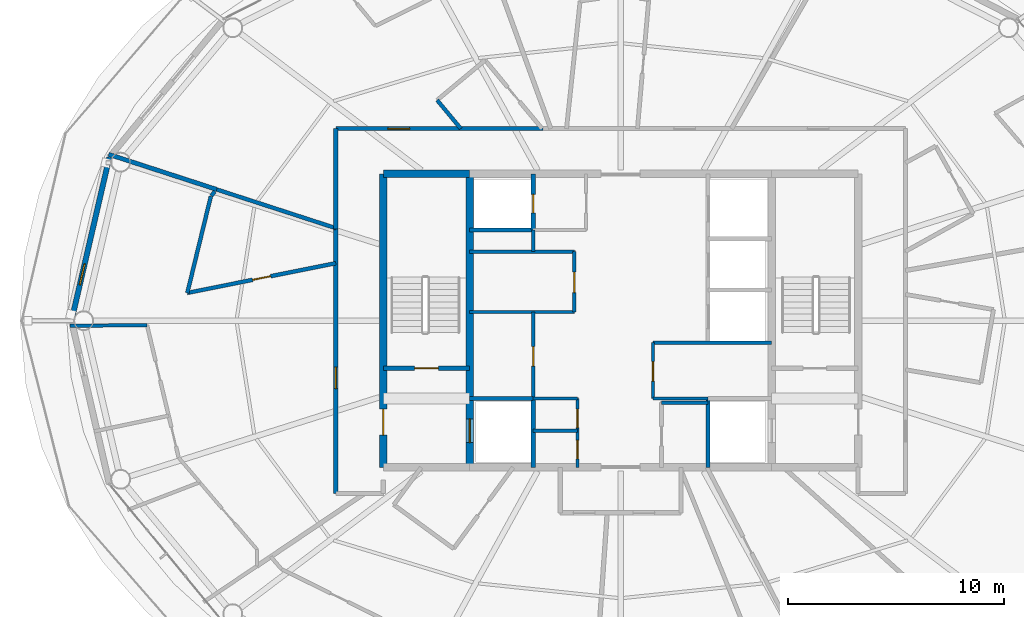
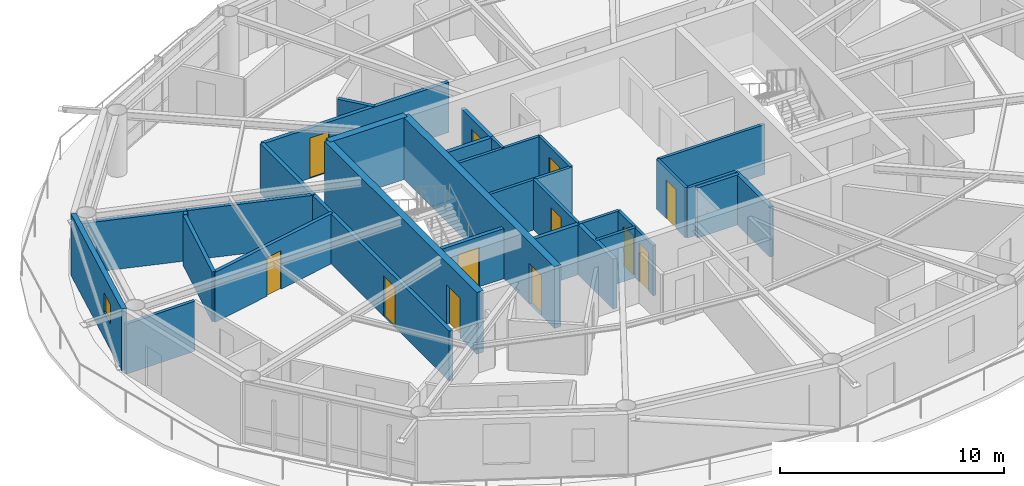
# One storey, part 16 of 22: 32 walls, 12 doors, 1 window, 13 openings.
"""IFC4 building model written with IfcOpenShell, lengths in metres."""

from ifc_helpers import new_model, si_unit, direction, frame, frame_2d, origin, place, context, subcontext, project, spatial, rectangle, extrude, material, layer, layer_set, type_object, element, fill, save


model = new_model("IFC4")

# Units and contexts
model_context = context("Model", 3, precision=1e-05, world=origin(), true_north=direction((0.0, 1.0)))
body_context = subcontext(model_context, "Body", "Model", "MODEL_VIEW")
ifc_project = project(units=[si_unit("LENGTHUNIT", "METRE"), si_unit("AREAUNIT", "SQUARE_METRE"), si_unit("VOLUMEUNIT", "CUBIC_METRE"), si_unit("PLANEANGLEUNIT", "RADIAN"), si_unit("MASSUNIT", "GRAM", prefix="KILO")], contexts=[model_context])

# Site, building, storey
site_placement = place(None, origin())
site = spatial("IfcSite", under=ifc_project, at=site_placement, CompositionType="ELEMENT")
building_placement = place(site_placement, origin())
building = spatial("IfcBuilding", under=site, at=building_placement, Name="Sarneth Arch Tower", CompositionType="ELEMENT")
storey_placement = place(building_placement, frame((0.0, 0.0, 298.199951171875)))
storey = spatial("IfcBuildingStorey", under=building, at=storey_placement, Name="L77", CompositionType="ELEMENT", Elevation=298.199951171875)

# Wall
ifc_material_1 = material(Name="Concrete C50/60", Category="concrete")
ifc_layer_1 = layer(ifc_material_1, 0.35009765625)
ifc_layer_set_1 = layer_set([ifc_layer_1], Name="Concrete C50/60")
wall_type_1 = type_object("IfcWallType", Name="WALL-CORE-350", PredefinedType="SHEAR", material=ifc_layer_set_1)
wall_1_placement = place(storey_placement, frame((37.0, 48.800048828125, 0.0), z_axis=(0.0, 0.0, 1.0), x_axis=(1.0, 0.0, 0.0)))
element("IfcWall", 1, at=wall_1_placement, inside=storey, type_object=wall_type_1, Name="L77 Core shear wall N-W", PredefinedType="SHEAR", context=body_context, shape_type="SweptSolid", body=[
    extrude(rectangle(XDim=4.0, YDim=0.35009765625, at=frame_2d((2.0, 0.0))), origin(), (0.0, 0.0, 1.0), 3.3701171875),
])

# Wall, opening, door
wall_2_placement = place(storey_placement, frame((37.0, 35.199951171875, 0.0), z_axis=(0.0, 0.0, 1.0), x_axis=(0.0, 1.0, 0.0)))
wall_2 = element("IfcWall", 2, at=wall_2_placement, inside=storey, type_object=wall_type_1, Name="L77 Core shear wall W", PredefinedType="SHEAR", context=body_context, shape_type="SweptSolid", body=[
    extrude(rectangle(XDim=13.60009765625, YDim=0.35009765625, at=frame_2d((6.800048828125, 0.0))), origin(), (0.0, 0.0, 1.0), 3.3701171875),
])
opening_1_placement = place(wall_2_placement, frame((1.5, 0.0, 0.0)))
opening_1 = element("IfcOpeningElement", 3, at=opening_1_placement, cuts=wall_2, Name="Opening FD-02", PredefinedType="OPENING", context=body_context, shape_type="SweptSolid", body=[
    extrude(rectangle(XDim=1.199951171875, YDim=2.14990234375, at=frame_2d((0.60009765625, 1.074951171875))), frame((0.0, 0.18505859375, 0.0), z_axis=(0.0, -1.0, 0.0), x_axis=(1.0, 0.0, 0.0)), (0.0, 0.0, 1.0), 0.3701171875),
])
ifc_material_2 = material(Name="Galvanised Steel S275 fire door set", Category="steel")
door_type_1 = type_object("IfcDoorType", Name="DR-FD90-1200", OperationType="SINGLE_SWING_LEFT", PredefinedType="DOOR", material=ifc_material_2)
door_1_placement = place(opening_1_placement, origin())
door_1 = element("IfcDoor", 4, at=door_1_placement, inside=storey, type_object=door_type_1, Name="L77 Firefighting lobby 1 exit door", OperationType="SINGLE_SWING_LEFT", OverallHeight=2.14990234375, OverallWidth=1.199951171875, PredefinedType="DOOR", context=body_context, shape_type="SweptSolid", body=[
    extrude(rectangle(XDim=1.199951171875, YDim=2.14990234375, at=frame_2d((0.60009765625, 1.074951171875))), frame((0.0, 0.02490234375, 0.0), z_axis=(0.0, -1.0, 0.0), x_axis=(1.0, 0.0, 0.0)), (0.0, 0.0, 1.0), 0.050048828125),
])
fill(opening_1, door_1)

wall_3_placement = place(storey_placement, frame((41.0, 35.199951171875, 0.0), z_axis=(0.0, 0.0, 1.0), x_axis=(0.0, 1.0, 0.0)))
wall_3 = element("IfcWall", 5, at=wall_3_placement, inside=storey, type_object=wall_type_1, Name="L77 Core shear wall WEB-W", PredefinedType="SHEAR", context=body_context, shape_type="SweptSolid", body=[
    extrude(rectangle(XDim=13.60009765625, YDim=0.35009765625, at=frame_2d((6.800048828125, 0.0))), origin(), (0.0, 0.0, 1.0), 3.3701171875),
])
opening_2_placement = place(wall_3_placement, frame((1.14990234375, 0.0, 0.0)))
opening_2 = element("IfcOpeningElement", 6, at=opening_2_placement, cuts=wall_3, Name="Opening LD-1", PredefinedType="OPENING", context=body_context, shape_type="SweptSolid", body=[
    extrude(rectangle(XDim=1.10009765625, YDim=2.199951171875, at=frame_2d((0.550048828125, 1.10009765625))), frame((0.0, 0.18505859375, 0.0), z_axis=(0.0, -1.0, 0.0), x_axis=(1.0, 0.0, 0.0)), (0.0, 0.0, 1.0), 0.3701171875),
])
ifc_material_3 = material(Name="Brushed Stainless Steel 304 lift landing door", Category="steel")
door_type_2 = type_object("IfcDoorType", Name="DR-LIFT-SLIDE-1100", OperationType="SLIDING_TO_LEFT", PredefinedType="DOOR", material=ifc_material_3)
door_2_placement = place(opening_2_placement, origin())
door_2 = element("IfcDoor", 7, at=door_2_placement, inside=storey, type_object=door_type_2, Name="L77 Firefighting lift landing door FL-1", OperationType="SLIDING_TO_LEFT", OverallHeight=2.199951171875, OverallWidth=1.10009765625, PredefinedType="DOOR", context=body_context, shape_type="SweptSolid", body=[
    extrude(rectangle(XDim=1.10009765625, YDim=2.199951171875, at=frame_2d((0.550048828125, 1.10009765625))), frame((0.0, 0.02490234375, 0.0), z_axis=(0.0, -1.0, 0.0), x_axis=(1.0, 0.0, 0.0)), (0.0, 0.0, 1.0), 0.050048828125),
])
fill(opening_2, door_2)

ifc_material_4 = material(Name="Double steel-stud corridor fire wall", Category="steel")
ifc_layer_2 = layer(ifc_material_4, 0.18994140625)
ifc_layer_set_2 = layer_set([ifc_layer_2], Name="Double steel-stud corridor fire wall")
wall_type_2 = type_object("IfcWallType", Name="WALL-CORR-190", PredefinedType="PARTITIONING", material=ifc_layer_set_2)
wall_4_placement = place(storey_placement, frame((34.800048828125, 34.0, 0.0), z_axis=(0.0, 0.0, 1.0), x_axis=(0.0, 1.0, 0.0)))
wall_4 = element("IfcWall", 8, at=wall_4_placement, inside=storey, type_object=wall_type_2, Name="L77 Interior partition W-L77-TP-013", PredefinedType="PARTITIONING", context=body_context, shape_type="SweptSolid", body=[
    extrude(rectangle(XDim=12.322509765625, YDim=0.18994140625, at=frame_2d((6.1611328125, 0.0))), origin(), (0.0, 0.0, 1.0), 2.72998046875),
])
opening_3_placement = place(wall_4_placement, frame((4.849365234375, 0.0, 0.0)))
opening_3 = element("IfcOpeningElement", 9, at=opening_3_placement, cuts=wall_4, Name="Opening FD-08", PredefinedType="OPENING", context=body_context, shape_type="SweptSolid", body=[
    extrude(rectangle(XDim=1.0, YDim=2.199951171875, at=frame_2d((0.5, 1.10009765625))), frame((0.0, 0.10498046875, 0.0), z_axis=(0.0, -1.0, 0.0), x_axis=(1.0, 0.0, 0.0)), (0.0, 0.0, 1.0), 0.2099609375),
])
ifc_material_5 = material(Name="Hardwood timber acoustic fire door", Category="wood")
door_type_3 = type_object("IfcDoorType", Name="DR-FD60-1000", OperationType="SINGLE_SWING_LEFT", PredefinedType="DOOR", material=ifc_material_5)
door_3_placement = place(opening_3_placement, origin())
door_3 = element("IfcDoor", 10, at=door_3_placement, inside=storey, type_object=door_type_3, Name="L77 Interior door DR-L77-U4-ENT", OperationType="SINGLE_SWING_RIGHT", OverallHeight=2.199951171875, OverallWidth=1.0, PredefinedType="DOOR", context=body_context, shape_type="SweptSolid", body=[
    extrude(rectangle(XDim=1.0, YDim=2.199951171875, at=frame_2d((0.5, 1.10009765625))), frame((0.0, 0.02490234375, 0.0), z_axis=(0.0, -1.0, 0.0), x_axis=(1.0, 0.0, 0.0)), (0.0, 0.0, 1.0), 0.050048828125),
])
fill(opening_3, door_3)

wall_5_placement = place(storey_placement, frame((34.800048828125, 50.89990234375, 0.0), z_axis=(0.0, 0.0, 1.0), x_axis=(1.0, 0.0, 0.0)))
wall_5 = element("IfcWall", 11, at=wall_5_placement, inside=storey, type_object=wall_type_2, Name="L77 Interior partition W-L77-TP-009", PredefinedType="PARTITIONING", context=body_context, shape_type="SweptSolid", body=[
    extrude(rectangle(XDim=9.6005859375, YDim=0.18994140625, at=frame_2d((4.80029296875, 0.0))), origin(), (0.0, 0.0, 1.0), 2.72998046875),
])
opening_4_placement = place(wall_5_placement, frame((2.41845703125, 0.0, 0.0)))
opening_4 = element("IfcOpeningElement", 12, at=opening_4_placement, cuts=wall_5, Name="Opening FD-08", PredefinedType="OPENING", context=body_context, shape_type="SweptSolid", body=[
    extrude(rectangle(XDim=1.0, YDim=2.199951171875, at=frame_2d((0.5, 1.10009765625))), frame((0.0, 0.10498046875, 0.0), z_axis=(0.0, -1.0, 0.0), x_axis=(1.0, 0.0, 0.0)), (0.0, 0.0, 1.0), 0.2099609375),
])
door_4_placement = place(opening_4_placement, origin())
door_4 = element("IfcDoor", 13, at=door_4_placement, inside=storey, type_object=door_type_3, Name="L77 Interior door DR-L77-U3-ENT", OperationType="SINGLE_SWING_RIGHT", OverallHeight=2.199951171875, OverallWidth=1.0, PredefinedType="DOOR", context=body_context, shape_type="SweptSolid", body=[
    extrude(rectangle(XDim=1.0, YDim=2.199951171875, at=frame_2d((0.5, 1.10009765625))), frame((0.0, 0.02490234375, 0.0), z_axis=(0.0, -1.0, 0.0), x_axis=(1.0, 0.0, 0.0)), (0.0, 0.0, 1.0), 0.050048828125),
])
fill(opening_4, door_4)

# Wall
wall_6_placement = place(storey_placement, frame((34.800048828125, 46.25537109375, 0.0), z_axis=(0.0, 0.0, 1.0), x_axis=(0.0, 1.0, 0.0)))
element("IfcWall", 14, at=wall_6_placement, inside=storey, type_object=wall_type_2, Name="L77 Interior partition W-L77-TP-008", PredefinedType="PARTITIONING", context=body_context, shape_type="SweptSolid", body=[
    extrude(rectangle(XDim=4.64453125, YDim=0.18994140625, at=frame_2d((2.322265625, 0.0))), origin(), (0.0, 0.0, 1.0), 2.72998046875),
])

# Wall, opening, window
ifc_material_6 = material(Name="Extruded terracotta rainscreen on Concrete C40/50 backing", Category="masonry")
ifc_layer_3 = layer(ifc_material_6, 0.25)
ifc_layer_set_3 = layer_set([ifc_layer_3], Name="Extruded terracotta rainscreen on Concrete C40/50 backing")
wall_type_3 = type_object("IfcWallType", Name="WALL-EXT-SPAND-250", PredefinedType="SOLIDWALL", material=ifc_layer_set_3)
wall_7_placement = place(storey_placement, frame((24.30615234375, 49.569580078125, 0.0), z_axis=(0.0, 0.0, 1.0), x_axis=(-0.225635078214, -0.974211892495, 0.0)))
wall_7 = element("IfcWall", 15, at=wall_7_placement, inside=storey, type_object=wall_type_3, Name="L77 Terracotta perimeter wall 08", PredefinedType="SOLIDWALL", context=body_context, shape_type="SweptSolid", body=[
    extrude(rectangle(XDim=7.77001953125, YDim=0.25, at=frame_2d((3.885009765625, 0.0))), origin(), (0.0, 0.0, 1.0), 3.3701171875),
])
opening_5_placement = place(wall_7_placement, frame((5.065185546875, 0.0, 1.419921875)))
opening_5 = element("IfcOpeningElement", 16, at=opening_5_placement, cuts=wall_7, Name="Opening W-14", PredefinedType="OPENING", context=body_context, shape_type="SweptSolid", body=[
    extrude(rectangle(XDim=1.0, YDim=1.050048828125, at=frame_2d((0.5, 0.52490234375))), frame((0.0, 0.135009765625, 0.0), z_axis=(0.0, -1.0, 0.0), x_axis=(1.0, 0.0, 0.0)), (0.0, 0.0, 1.0), 0.27001953125),
])
ifc_material_7 = material(Name="Thermally broken Aluminium 6063-T6 and low-e laminated IGU", Category="aluminium")
window_type = type_object("IfcWindowType", Name="WIN-TWR-1000x1050", PartitioningType="SINGLE_PANEL", PredefinedType="WINDOW", material=ifc_material_7)
window_placement = place(opening_5_placement, origin())
window = element("IfcWindow", 17, at=window_placement, inside=storey, type_object=window_type, Name="L77 Dwelling bedroom window 02", OverallHeight=1.050048828125, OverallWidth=1.0, PartitioningType="SINGLE_PANEL", PredefinedType="WINDOW", context=body_context, shape_type="SweptSolid", body=[
    extrude(rectangle(XDim=1.0, YDim=1.050048828125, at=frame_2d((0.5, 0.52490234375))), frame((0.0, 0.030029296875, 0.0), z_axis=(0.0, -1.0, 0.0), x_axis=(1.0, 0.0, 0.0)), (0.0, 0.0, 1.0), 0.06005859375),
])
fill(opening_5, window)

# Wall, opening, door
ifc_material_8 = material(Name="Acoustic gypsum stud partition", Category="gypsum")
ifc_layer_4 = layer(ifc_material_8, 0.14990234375)
ifc_layer_set_4 = layer_set([ifc_layer_4], Name="Acoustic gypsum stud partition")
wall_type_4 = type_object("IfcWallType", Name="WALL-PART-150", PredefinedType="PARTITIONING", material=ifc_layer_set_4)
wall_8_placement = place(storey_placement, frame((43.949951171875, 38.39990234375, 0.0), z_axis=(0.0, 0.0, 1.0), x_axis=(0.0, 1.0, 0.0)))
wall_8 = element("IfcWall", 18, at=wall_8_placement, inside=storey, type_object=wall_type_4, Name="L77 Interior partition W-L77-RECPL-E", PredefinedType="PARTITIONING", context=body_context, shape_type="SweptSolid", body=[
    extrude(rectangle(XDim=4.0, YDim=0.14990234375, at=frame_2d((2.0, 0.0))), origin(), (0.0, 0.0, 1.0), 2.72998046875),
])
opening_6_placement = place(wall_8_placement, frame((1.5, 0.0, 0.0)))
opening_6 = element("IfcOpeningElement", 19, at=opening_6_placement, cuts=wall_8, Name="Opening FD-10", PredefinedType="OPENING", context=body_context, shape_type="SweptSolid", body=[
    extrude(rectangle(XDim=0.89990234375, YDim=2.14990234375, at=frame_2d((0.449951171875, 1.074951171875))), frame((0.0, 0.0849609375, 0.0), z_axis=(0.0, -1.0, 0.0), x_axis=(1.0, 0.0, 0.0)), (0.0, 0.0, 1.0), 0.169921875),
])
ifc_material_9 = material(Name="Galvanised Steel S275 riser/service fire door", Category="steel")
door_type_4 = type_object("IfcDoorType", Name="DR-FD60-900", OperationType="SINGLE_SWING_LEFT", PredefinedType="DOOR", material=ifc_material_9)
door_5_placement = place(opening_6_placement, origin())
door_5 = element("IfcDoor", 20, at=door_5_placement, inside=storey, type_object=door_type_4, Name="L77 Interior door DR-L77-RECPL", OperationType="SINGLE_SWING_LEFT", OverallHeight=2.14990234375, OverallWidth=0.89990234375, PredefinedType="DOOR", context=body_context, shape_type="SweptSolid", body=[
    extrude(rectangle(XDim=0.89990234375, YDim=2.14990234375, at=frame_2d((0.449951171875, 1.074951171875))), frame((0.0, 0.02490234375, 0.0), z_axis=(0.0, -1.0, 0.0), x_axis=(1.0, 0.0, 0.0)), (0.0, 0.0, 1.0), 0.050048828125),
])
fill(opening_6, door_5)

# Walls
for number, where, z_axis, x_axis, name in (
    (21, (41.0, 42.39990234375, 0.0), (0.0, 0.0, 1.0), (1.0, 0.0, 0.0), "L77 Interior partition W-L77-RECPM1-S"),
    (22, (41.0, 45.199951171875, 0.0), (0.0, 0.0, 1.0), (1.0, 0.0, 0.0), "L77 Interior partition W-L77-RECPM1-N"),
):
    element("IfcWall", number, at=place(storey_placement, frame(where, z_axis=z_axis, x_axis=x_axis)), inside=storey, type_object=wall_type_4, Name=name, PredefinedType="PARTITIONING", context=body_context, shape_type="SweptSolid", body=[
        extrude(rectangle(XDim=4.85009765625, YDim=0.14990234375, at=frame_2d((2.425048828125, 0.0))), origin(), (0.0, 0.0, 1.0), 2.72998046875),
    ])
wall_9_placement = place(storey_placement, frame((43.949951171875, 45.199951171875, 0.0), z_axis=(0.0, 0.0, 1.0), x_axis=(0.0, 1.0, 0.0)))
element("IfcWall", 23, at=wall_9_placement, inside=storey, type_object=wall_type_4, Name="L77 Interior partition W-L77-RECPM1-W2", PredefinedType="PARTITIONING", context=body_context, shape_type="SweptSolid", body=[
    extrude(rectangle(XDim=1.0, YDim=0.14990234375, at=frame_2d((0.5, 0.0))), origin(), (0.0, 0.0, 1.0), 2.72998046875),
])

# Wall, opening, door
wall_10_placement = place(storey_placement, frame((45.85009765625, 42.39990234375, 0.0), z_axis=(0.0, 0.0, 1.0), x_axis=(0.0, 1.0, 0.0)))
wall_10 = element("IfcWall", 24, at=wall_10_placement, inside=storey, type_object=wall_type_4, Name="L77 Interior partition W-L77-RECPM1-E", PredefinedType="PARTITIONING", context=body_context, shape_type="SweptSolid", body=[
    extrude(rectangle(XDim=2.800048828125, YDim=0.14990234375, at=frame_2d((1.39990234375, 0.0))), origin(), (0.0, 0.0, 1.0), 2.72998046875),
])
opening_7_placement = place(wall_10_placement, frame((0.89990234375, 0.0, 0.0)))
opening_7 = element("IfcOpeningElement", 25, at=opening_7_placement, cuts=wall_10, Name="Opening FD-09", PredefinedType="OPENING", context=body_context, shape_type="SweptSolid", body=[
    extrude(rectangle(XDim=0.949951171875, YDim=2.14990234375, at=frame_2d((0.47509765625, 1.074951171875))), frame((0.0, 0.0849609375, 0.0), z_axis=(0.0, -1.0, 0.0), x_axis=(1.0, 0.0, 0.0)), (0.0, 0.0, 1.0), 0.169921875),
])
ifc_material_10 = material(Name="Hardwood timber hotel entrance fire door", Category="wood")
door_type_5 = type_object("IfcDoorType", Name="DR-FD60-950", OperationType="SINGLE_SWING_RIGHT", PredefinedType="DOOR", material=ifc_material_10)
door_6_placement = place(opening_7_placement, origin())
door_6 = element("IfcDoor", 26, at=door_6_placement, inside=storey, type_object=door_type_5, Name="L77 Interior door DR-L77-RECPM1", OperationType="SINGLE_SWING_RIGHT", OverallHeight=2.14990234375, OverallWidth=0.949951171875, PredefinedType="DOOR", context=body_context, shape_type="SweptSolid", body=[
    extrude(rectangle(XDim=0.949951171875, YDim=2.14990234375, at=frame_2d((0.47509765625, 1.074951171875))), frame((0.0, 0.02490234375, 0.0), z_axis=(0.0, -1.0, 0.0), x_axis=(1.0, 0.0, 0.0)), (0.0, 0.0, 1.0), 0.050048828125),
])
fill(opening_7, door_6)

# Walls
wall_11_placement = place(storey_placement, frame((49.5, 40.97998046875, 0.0), z_axis=(0.0, 0.0, 1.0), x_axis=(1.0, 0.0, 0.0)))
element("IfcWall", 27, at=wall_11_placement, inside=storey, type_object=wall_type_4, Name="L77 Interior partition W-L77-RECPM2-N", PredefinedType="PARTITIONING", context=body_context, shape_type="SweptSolid", body=[
    extrude(rectangle(XDim=5.5, YDim=0.14990234375, at=frame_2d((2.75, 0.0))), origin(), (0.0, 0.0, 1.0), 2.72998046875),
])
wall_12_placement = place(storey_placement, frame((49.5, 38.39990234375, 0.0), z_axis=(0.0, 0.0, 1.0), x_axis=(1.0, 0.0, 0.0)))
element("IfcWall", 28, at=wall_12_placement, inside=storey, type_object=wall_type_4, Name="L77 Interior partition W-L77-RECPM2-S", PredefinedType="PARTITIONING", context=body_context, shape_type="SweptSolid", body=[
    extrude(rectangle(XDim=2.550048828125, YDim=0.14990234375, at=frame_2d((1.27490234375, 0.0))), origin(), (0.0, 0.0, 1.0), 2.72998046875),
])

# Wall, opening, door
wall_13_placement = place(storey_placement, frame((49.5, 38.39990234375, 0.0), z_axis=(0.0, 0.0, 1.0), x_axis=(0.0, 1.0, 0.0)))
wall_13 = element("IfcWall", 29, at=wall_13_placement, inside=storey, type_object=wall_type_4, Name="L77 Interior partition W-L77-RECPM2-W", PredefinedType="PARTITIONING", context=body_context, shape_type="SweptSolid", body=[
    extrude(rectangle(XDim=2.580078125, YDim=0.14990234375, at=frame_2d((1.2900390625, 0.0))), origin(), (0.0, 0.0, 1.0), 2.72998046875),
])
opening_8_placement = place(wall_13_placement, frame((0.800048828125, 0.0, 0.0)))
opening_8 = element("IfcOpeningElement", 30, at=opening_8_placement, cuts=wall_13, Name="Opening FD-10", PredefinedType="OPENING", context=body_context, shape_type="SweptSolid", body=[
    extrude(rectangle(XDim=0.89990234375, YDim=2.14990234375, at=frame_2d((0.449951171875, 1.074951171875))), frame((0.0, 0.0849609375, 0.0), z_axis=(0.0, -1.0, 0.0), x_axis=(1.0, 0.0, 0.0)), (0.0, 0.0, 1.0), 0.169921875),
])
door_7_placement = place(opening_8_placement, origin())
door_7 = element("IfcDoor", 31, at=door_7_placement, inside=storey, type_object=door_type_4, Name="L77 Interior door DR-L77-RECPM2", OperationType="SINGLE_SWING_LEFT", OverallHeight=2.14990234375, OverallWidth=0.89990234375, PredefinedType="DOOR", context=body_context, shape_type="SweptSolid", body=[
    extrude(rectangle(XDim=0.89990234375, YDim=2.14990234375, at=frame_2d((0.449951171875, 1.074951171875))), frame((0.0, 0.02490234375, 0.0), z_axis=(0.0, -1.0, 0.0), x_axis=(1.0, 0.0, 0.0)), (0.0, 0.0, 1.0), 0.050048828125),
])
fill(opening_8, door_7)

# Walls
for number, where, z_axis, x_axis, name in (
    (32, (43.949951171875, 36.89990234375, 0.0), (0.0, 0.0, 1.0), (1.0, 0.0, 0.0), "L77 Interior partition W-L77-CSUP-M"),
    (33, (43.949951171875, 38.39990234375, 0.0), (0.0, 0.0, 1.0), (1.0, 0.0, 0.0), "L77 Interior partition W-L77-CSUP-N"),
):
    element("IfcWall", number, at=place(storey_placement, frame(where, z_axis=z_axis, x_axis=x_axis)), inside=storey, type_object=wall_type_4, Name=name, PredefinedType="PARTITIONING", context=body_context, shape_type="SweptSolid", body=[
        extrude(rectangle(XDim=2.050048828125, YDim=0.14990234375, at=frame_2d((1.02490234375, 0.0))), origin(), (0.0, 0.0, 1.0), 2.72998046875),
    ])

# Wall, openings, doors
wall_14_placement = place(storey_placement, frame((46.0, 35.199951171875, 0.0), z_axis=(0.0, 0.0, 1.0), x_axis=(0.0, 1.0, 0.0)))
wall_14 = element("IfcWall", 34, at=wall_14_placement, inside=storey, type_object=wall_type_4, Name="L77 Interior partition W-L77-CSUP-E", PredefinedType="PARTITIONING", context=body_context, shape_type="SweptSolid", body=[
    extrude(rectangle(XDim=3.199951171875, YDim=0.14990234375, at=frame_2d((1.60009765625, 0.0))), origin(), (0.0, 0.0, 1.0), 2.72998046875),
])
opening_9_placement = place(wall_14_placement, frame((0.39990234375, 0.0, 0.0)))
opening_9 = element("IfcOpeningElement", 35, at=opening_9_placement, cuts=wall_14, Name="Opening FD-11", PredefinedType="OPENING", context=body_context, shape_type="SweptSolid", body=[
    extrude(rectangle(XDim=0.85009765625, YDim=2.14990234375, at=frame_2d((0.425048828125, 1.074951171875))), frame((0.0, 0.0849609375, 0.0), z_axis=(0.0, -1.0, 0.0), x_axis=(1.0, 0.0, 0.0)), (0.0, 0.0, 1.0), 0.169921875),
])
opening_10_placement = place(wall_14_placement, frame((1.85009765625, 0.0, 0.0)))
opening_10 = element("IfcOpeningElement", 36, at=opening_10_placement, cuts=wall_14, Name="Opening FD-11", PredefinedType="OPENING", context=body_context, shape_type="SweptSolid", body=[
    extrude(rectangle(XDim=0.85009765625, YDim=2.14990234375, at=frame_2d((0.425048828125, 1.074951171875))), frame((0.0, 0.0849609375, 0.0), z_axis=(0.0, -1.0, 0.0), x_axis=(1.0, 0.0, 0.0)), (0.0, 0.0, 1.0), 0.169921875),
])
ifc_material_11 = material(Name="Galvanised Steel S275 closet fire door", Category="steel")
door_type_6 = type_object("IfcDoorType", Name="DR-FD60-850", OperationType="SINGLE_SWING_LEFT", PredefinedType="DOOR", material=ifc_material_11)
door_8_placement = place(opening_9_placement, origin())
door_8 = element("IfcDoor", 37, at=door_8_placement, inside=storey, type_object=door_type_6, Name="L77 Interior door DR-L77-CSUP1", OperationType="SINGLE_SWING_LEFT", OverallHeight=2.14990234375, OverallWidth=0.85009765625, PredefinedType="DOOR", context=body_context, shape_type="SweptSolid", body=[
    extrude(rectangle(XDim=0.85009765625, YDim=2.14990234375, at=frame_2d((0.425048828125, 1.074951171875))), frame((0.0, 0.02490234375, 0.0), z_axis=(0.0, -1.0, 0.0), x_axis=(1.0, 0.0, 0.0)), (0.0, 0.0, 1.0), 0.050048828125),
])
fill(opening_9, door_8)
door_9_placement = place(opening_10_placement, origin())
door_9 = element("IfcDoor", 38, at=door_9_placement, inside=storey, type_object=door_type_6, Name="L77 Interior door DR-L77-CSUP2", OperationType="SINGLE_SWING_RIGHT", OverallHeight=2.14990234375, OverallWidth=0.85009765625, PredefinedType="DOOR", context=body_context, shape_type="SweptSolid", body=[
    extrude(rectangle(XDim=0.85009765625, YDim=2.14990234375, at=frame_2d((0.425048828125, 1.074951171875))), frame((0.0, 0.02490234375, 0.0), z_axis=(0.0, -1.0, 0.0), x_axis=(1.0, 0.0, 0.0)), (0.0, 0.0, 1.0), 0.050048828125),
])
fill(opening_10, door_9)

# Walls
ifc_material_12 = material(Name="Kitchen wet service chase wall", Category="gypsum")
ifc_layer_5 = layer(ifc_material_12, 0.159912109375)
ifc_layer_set_5 = layer_set([ifc_layer_5], Name="Kitchen wet service chase wall")
wall_type_5 = type_object("IfcWallType", Name="WALL-PLUMB-160", PredefinedType="PLUMBINGWALL", material=ifc_layer_set_5)
wall_15_placement = place(storey_placement, frame((26.05224609375, 41.796142578125, 0.0), z_axis=(0.0, 0.0, 1.0), x_axis=(-0.999957259018, -0.009245546878, 0.0)))
element("IfcWall", 39, at=wall_15_placement, inside=storey, type_object=wall_type_5, Name="L77 Interior partition W-L77-TP-057", PredefinedType="PLUMBINGWALL", context=body_context, shape_type="SweptSolid", body=[
    extrude(rectangle(XDim=3.56494140625, YDim=0.159912109375, at=frame_2d((1.782470703125, 0.0))), origin(), (0.0, 0.0, 1.0), 2.72998046875),
])
ifc_material_13 = material(Name="Moisture-resistant plumbing chase wall", Category="gypsum")
ifc_layer_6 = layer(ifc_material_13, 0.179931640625)
ifc_layer_set_6 = layer_set([ifc_layer_6], Name="Moisture-resistant plumbing chase wall")
wall_type_6 = type_object("IfcWallType", Name="WALL-PLUMB-180", PredefinedType="PLUMBINGWALL", material=ifc_layer_set_6)
wall_16_placement = place(storey_placement, frame((49.89990234375, 38.199951171875, 0.0), z_axis=(0.0, 0.0, 1.0), x_axis=(1.0, 0.0, 0.0)))
element("IfcWall", 40, at=wall_16_placement, inside=storey, type_object=wall_type_6, Name="L77 Interior partition W-L77-AWC-N", PredefinedType="PLUMBINGWALL", context=body_context, shape_type="SweptSolid", body=[
    extrude(rectangle(XDim=2.150146484375, YDim=0.179931640625, at=frame_2d((1.0751953125, 0.0))), origin(), (0.0, 0.0, 1.0), 2.72998046875),
])

# Wall, opening, door
wall_17_placement = place(storey_placement, frame((27.9208984375, 43.28759765625, 0.0), z_axis=(0.0, 0.0, 1.0), x_axis=(0.980509676699, 0.196470796559, 0.0)))
wall_17 = element("IfcWall", 41, at=wall_17_placement, inside=storey, type_object=wall_type_6, Name="L77 Interior partition W-L77-TP-060", PredefinedType="PLUMBINGWALL", context=body_context, shape_type="SweptSolid", body=[
    extrude(rectangle(XDim=7.015869140625, YDim=0.179931640625, at=frame_2d((3.5078125, 0.0))), origin(), (0.0, 0.0, 1.0), 2.72998046875),
])
opening_11_placement = place(wall_17_placement, frame((3.0830078125, 0.0, 0.0)))
opening_11 = element("IfcOpeningElement", 42, at=opening_11_placement, cuts=wall_17, Name="Opening ID-02", PredefinedType="OPENING", context=body_context, shape_type="SweptSolid", body=[
    extrude(rectangle(XDim=0.85009765625, YDim=2.10009765625, at=frame_2d((0.425048828125, 1.050048828125))), frame((0.0, 0.099853515625, 0.0), z_axis=(0.0, -1.0, 0.0), x_axis=(1.0, 0.0, 0.0)), (0.0, 0.0, 1.0), 0.199951171875),
])
ifc_material_14 = material(Name="Moisture-resistant bathroom timber door", Category="wood")
door_type_7 = type_object("IfcDoorType", Name="DR-INT-850", OperationType="SINGLE_SWING_RIGHT", PredefinedType="DOOR", material=ifc_material_14)
door_10_placement = place(opening_11_placement, origin())
door_10 = element("IfcDoor", 43, at=door_10_placement, inside=storey, type_object=door_type_7, Name="L77 Interior door DR-L77-U4-BATH", OperationType="SINGLE_SWING_RIGHT", OverallHeight=2.10009765625, OverallWidth=0.85009765625, PredefinedType="DOOR", context=body_context, shape_type="SweptSolid", body=[
    extrude(rectangle(XDim=0.85009765625, YDim=2.10009765625, at=frame_2d((0.425048828125, 1.050048828125))), frame((0.0, 0.02490234375, 0.0), z_axis=(0.0, -1.0, 0.0), x_axis=(1.0, 0.0, 0.0)), (0.0, 0.0, 1.0), 0.050048828125),
])
fill(opening_11, door_10)

# Walls
wall_18_placement = place(storey_placement, frame((29.28271484375, 48.08154296875, 0.0), z_axis=(0.0, 0.0, 1.0), x_axis=(0.951054787399, -0.309022315318, 0.0)))
element("IfcWall", 44, at=wall_18_placement, inside=storey, type_object=wall_type_6, Name="L77 Interior partition W-L77-TP-055", PredefinedType="PLUMBINGWALL", context=body_context, shape_type="SweptSolid", body=[
    extrude(rectangle(XDim=5.80126953125, YDim=0.179931640625, at=frame_2d((2.900634765625, 0.0))), origin(), (0.0, 0.0, 1.0), 2.72998046875),
])
wall_19_placement = place(storey_placement, frame((29.012451171875, 47.77099609375, 0.0), z_axis=(0.0, 0.0, 1.0), x_axis=(-0.236555437191, -0.971617993419, 0.0)))
element("IfcWall", 45, at=wall_19_placement, inside=storey, type_object=wall_type_6, Name="L77 Interior partition W-L77-TP-059", PredefinedType="PLUMBINGWALL", context=body_context, shape_type="SweptSolid", body=[
    extrude(rectangle(XDim=4.6142578125, YDim=0.179931640625, at=frame_2d((2.30712890625, 0.0))), origin(), (0.0, 0.0, 1.0), 2.72998046875),
])
wall_20_placement = place(storey_placement, frame((40.59521484375, 50.89990234375, 0.0), z_axis=(0.0, 0.0, 1.0), x_axis=(-0.639527602533, 0.768768135135, 0.0)))
element("IfcWall", 46, at=wall_20_placement, inside=storey, type_object=wall_type_6, Name="L77 Interior partition W-L77-TP-048", PredefinedType="PLUMBINGWALL", context=body_context, shape_type="SweptSolid", body=[
    extrude(rectangle(XDim=1.718994140625, YDim=0.179931640625, at=frame_2d((0.859375, 0.0))), origin(), (0.0, 0.0, 1.0), 2.72998046875),
])
wall_21_placement = place(storey_placement, frame((29.196044921875, 47.98193359375, 0.0), z_axis=(0.0, 0.0, 1.0), x_axis=(-0.656442741053, -0.754375853086, 0.0)))
element("IfcWall", 47, at=wall_21_placement, inside=storey, type_object=wall_type_6, Name="L77 Interior partition W-L77-TP-058", PredefinedType="PLUMBINGWALL", context=body_context, shape_type="SweptSolid", body=[
    extrude(rectangle(XDim=0.251708984375, YDim=0.179931640625, at=frame_2d((0.1259765625, 0.0))), origin(), (0.0, 0.0, 1.0), 2.72998046875),
])

# Wall, opening, door
ifc_material_15 = material(Name="Aerated concrete blockwork C25/30", Category="masonry")
ifc_layer_7 = layer(ifc_material_15, 0.199951171875)
ifc_layer_set_7 = layer_set([ifc_layer_7], Name="Aerated concrete blockwork C25/30")
wall_type_7 = type_object("IfcWallType", Name="WALL-SHAFT-200", PredefinedType="SOLIDWALL", material=ifc_layer_set_7)
wall_22_placement = place(storey_placement, frame((37.0, 39.800048828125, 0.0), z_axis=(0.0, 0.0, 1.0), x_axis=(1.0, 0.0, 0.0)))
wall_22 = element("IfcWall", 48, at=wall_22_placement, inside=storey, type_object=wall_type_7, Name="L77 Interior partition W-L77-ST1-S", PredefinedType="SOLIDWALL", context=body_context, shape_type="SweptSolid", body=[
    extrude(rectangle(XDim=4.0, YDim=0.199951171875, at=frame_2d((2.0, 0.0))), origin(), (0.0, 0.0, 1.0), 2.72998046875),
])
opening_12_placement = place(wall_22_placement, frame((1.449951171875, 0.0, 0.0)))
opening_12 = element("IfcOpeningElement", 49, at=opening_12_placement, cuts=wall_22, Name="Opening FD-03", PredefinedType="OPENING", context=body_context, shape_type="SweptSolid", body=[
    extrude(rectangle(XDim=1.10009765625, YDim=2.14990234375, at=frame_2d((0.550048828125, 1.074951171875))), frame((0.0, 0.10986328125, 0.0), z_axis=(0.0, -1.0, 0.0), x_axis=(1.0, 0.0, 0.0)), (0.0, 0.0, 1.0), 0.219970703125),
])
ifc_material_16 = material(Name="Galvanised Steel S275 fire door set", Category="steel")
door_type_8 = type_object("IfcDoorType", Name="DR-FD90-1100", OperationType="SINGLE_SWING_LEFT", PredefinedType="DOOR", material=ifc_material_16)
door_11_placement = place(opening_12_placement, origin())
door_11 = element("IfcDoor", 50, at=door_11_placement, inside=storey, type_object=door_type_8, Name="L77 Interior door DR-L77-ST1", OperationType="SINGLE_SWING_LEFT", OverallHeight=2.14990234375, OverallWidth=1.10009765625, PredefinedType="DOOR", context=body_context, shape_type="SweptSolid", body=[
    extrude(rectangle(XDim=1.10009765625, YDim=2.14990234375, at=frame_2d((0.550048828125, 1.074951171875))), frame((0.0, 0.02490234375, 0.0), z_axis=(0.0, -1.0, 0.0), x_axis=(1.0, 0.0, 0.0)), (0.0, 0.0, 1.0), 0.050048828125),
])
fill(opening_12, door_11)

# Walls
wall_23_placement = place(storey_placement, frame((43.949951171875, 35.199951171875, 0.0), z_axis=(0.0, 0.0, 1.0), x_axis=(0.0, 1.0, 0.0)))
element("IfcWall", 51, at=wall_23_placement, inside=storey, type_object=wall_type_7, Name="L77 Interior partition W-L77-FL1-E", PredefinedType="SOLIDWALL", context=body_context, shape_type="SweptSolid", body=[
    extrude(rectangle(XDim=3.199951171875, YDim=0.199951171875, at=frame_2d((1.60009765625, 0.0))), origin(), (0.0, 0.0, 1.0), 2.72998046875),
])
wall_24_placement = place(storey_placement, frame((41.0, 38.39990234375, 0.0), z_axis=(0.0, 0.0, 1.0), x_axis=(1.0, 0.0, 0.0)))
element("IfcWall", 52, at=wall_24_placement, inside=storey, type_object=wall_type_7, Name="L77 Interior partition W-L77-FL1-N", PredefinedType="SOLIDWALL", context=body_context, shape_type="SweptSolid", body=[
    extrude(rectangle(XDim=2.949951171875, YDim=0.199951171875, at=frame_2d((1.47509765625, 0.0))), origin(), (0.0, 0.0, 1.0), 2.72998046875),
])
wall_25_placement = place(storey_placement, frame((52.050048828125, 35.199951171875, 0.0), z_axis=(0.0, 0.0, 1.0), x_axis=(0.0, 1.0, 0.0)))
element("IfcWall", 53, at=wall_25_placement, inside=storey, type_object=wall_type_7, Name="L77 Interior partition W-L77-FL2-W", PredefinedType="SOLIDWALL", context=body_context, shape_type="SweptSolid", body=[
    extrude(rectangle(XDim=3.199951171875, YDim=0.199951171875, at=frame_2d((1.60009765625, 0.0))), origin(), (0.0, 0.0, 1.0), 2.72998046875),
])
wall_26_placement = place(storey_placement, frame((41.0, 46.199951171875, 0.0), z_axis=(0.0, 0.0, 1.0), x_axis=(1.0, 0.0, 0.0)))
element("IfcWall", 54, at=wall_26_placement, inside=storey, type_object=wall_type_7, Name="L77 Interior partition W-L77-RISER-S", PredefinedType="SOLIDWALL", context=body_context, shape_type="SweptSolid", body=[
    extrude(rectangle(XDim=2.949951171875, YDim=0.199951171875, at=frame_2d((1.47509765625, 0.0))), origin(), (0.0, 0.0, 1.0), 2.72998046875),
])

# Wall, opening, door
wall_27_placement = place(storey_placement, frame((43.949951171875, 46.199951171875, 0.0), z_axis=(0.0, 0.0, 1.0), x_axis=(0.0, 1.0, 0.0)))
wall_27 = element("IfcWall", 55, at=wall_27_placement, inside=storey, type_object=wall_type_7, Name="L77 Interior partition W-L77-RISER-E", PredefinedType="SOLIDWALL", context=body_context, shape_type="SweptSolid", body=[
    extrude(rectangle(XDim=2.60009765625, YDim=0.199951171875, at=frame_2d((1.300048828125, 0.0))), origin(), (0.0, 0.0, 1.0), 2.72998046875),
])
opening_13_placement = place(wall_27_placement, frame((0.800048828125, 0.0, 0.0)))
opening_13 = element("IfcOpeningElement", 56, at=opening_13_placement, cuts=wall_27, Name="Opening FD-11", PredefinedType="OPENING", context=body_context, shape_type="SweptSolid", body=[
    extrude(rectangle(XDim=0.85009765625, YDim=2.14990234375, at=frame_2d((0.425048828125, 1.074951171875))), frame((0.0, 0.10986328125, 0.0), z_axis=(0.0, -1.0, 0.0), x_axis=(1.0, 0.0, 0.0)), (0.0, 0.0, 1.0), 0.219970703125),
])
door_12_placement = place(opening_13_placement, origin())
door_12 = element("IfcDoor", 57, at=door_12_placement, inside=storey, type_object=door_type_6, Name="L77 Lift landing door DR-L77-RISER", OperationType="SINGLE_SWING_LEFT", OverallHeight=2.14990234375, OverallWidth=0.85009765625, PredefinedType="DOOR", context=body_context, shape_type="SweptSolid", body=[
    extrude(rectangle(XDim=0.85009765625, YDim=2.14990234375, at=frame_2d((0.425048828125, 1.074951171875))), frame((0.0, 0.02490234375, 0.0), z_axis=(0.0, -1.0, 0.0), x_axis=(1.0, 0.0, 0.0)), (0.0, 0.0, 1.0), 0.050048828125),
])
fill(opening_13, door_12)

# Wall
ifc_material_17 = material(Name="Double steel-stud acoustic drywall", Category="steel")
ifc_layer_8 = layer(ifc_material_17, 0.199951171875)
ifc_layer_set_8 = layer_set([ifc_layer_8], Name="Double steel-stud acoustic drywall")
wall_type_8 = type_object("IfcWallType", Name="WALL-UNIT-200", PredefinedType="PARTITIONING", material=ifc_layer_set_8)
wall_28_placement = place(storey_placement, frame((24.2763671875, 49.708251953125, 0.0), z_axis=(0.0, 0.0, 1.0), x_axis=(0.95105383501, -0.3090252464, 0.0)))
element("IfcWall", 58, at=wall_28_placement, inside=storey, type_object=wall_type_8, Name="L77 Interior partition W-L77-TP-054", PredefinedType="PARTITIONING", context=body_context, shape_type="SweptSolid", body=[
    extrude(rectangle(XDim=5.263916015625, YDim=0.199951171875, at=frame_2d((2.6318359375, 0.0))), origin(), (0.0, 0.0, 1.0), 2.72998046875),
])

save(model, "model.ifc")
